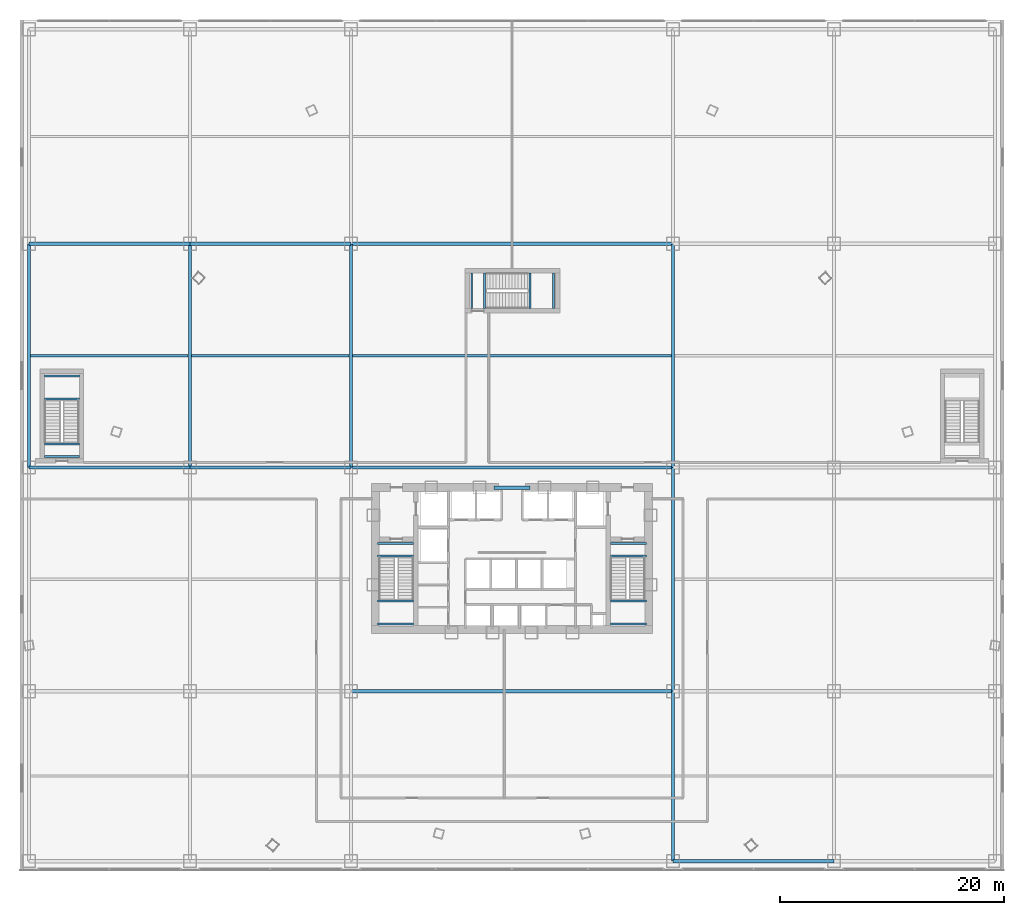
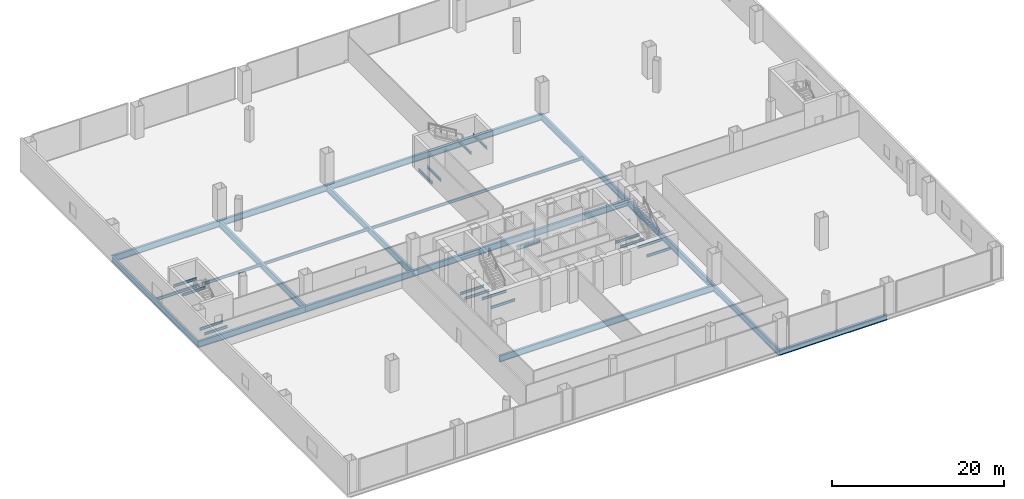
# One storey, part 12 of 40: 34 beams.
"""IFC4 building model written with IfcOpenShell, lengths in metres."""

import ifcopenshell
import ifcopenshell.guid

model = None  # the IFC model being written
_history = None  # IfcOwnerHistory: only IFC2X3 demands one
_inside = {}  # id of a spatial element -> (the spatial element, [elements in it])
_under = {}  # id of a project, library or spatial element -> (it, [spatial elements below it])
_declared = {}  # id of a project -> (the project, [libraries it declares])
_typed = {}  # id of a type object -> (the type object, [elements of that type])
_made_of = {}  # id of a material, layer set ... -> (it, [elements and type objects made of it])


def new_model(schema):
    """Start an empty IFC model of exactly this schema.

    Asked for "IFC4X3", IfcOpenShell would pick the latest addendum, in which some entities
    have other attributes; the version numbers below select the first issue.
    IFC2X3 requires an IfcOwnerHistory on every rooted entity: one is made here for all.
    """
    global model, _history
    if schema == "IFC4X3":
        model = ifcopenshell.file(schema_version=(4, 3, 0, 0))
    else:
        model = ifcopenshell.file(schema=schema)
    _inside.clear()
    _under.clear()
    _declared.clear()
    _typed.clear()
    _made_of.clear()
    _history = None
    if model.schema == "IFC2X3":
        org = make("IfcOrganization", Name="unknown")
        user = make(
            "IfcPersonAndOrganization",
            ThePerson=make("IfcPerson", FamilyName="unknown"),
            TheOrganization=org,
        )
        app = make(
            "IfcApplication",
            ApplicationDeveloper=org,
            Version="unknown",
            ApplicationFullName="unknown",
            ApplicationIdentifier="unknown",
        )
        _history = make(
            "IfcOwnerHistory",
            OwningUser=user,
            OwningApplication=app,
            ChangeAction="ADDED",
            CreationDate=0,
        )
    return model


def make(cls, **values):
    """One entity of the class cls with the attributes given. An attribute that is None is left unset."""
    return model.create_entity(
        cls, **{name: value for name, value in values.items() if value is not None}
    )


def rooted(cls, **values):
    """An entity with a GlobalId (a new one), such as an element, a storey or a relation."""
    return make(cls, GlobalId=ifcopenshell.guid.new(), OwnerHistory=_history, **values)


def si_unit(unit_type, name, prefix=None):
    """IfcSIUnit, for example si_unit("LENGTHUNIT", "METRE", prefix="MILLI")."""
    return make("IfcSIUnit", UnitType=unit_type, Prefix=prefix, Name=name)


def assignment(units):
    """IfcUnitAssignment: the units of a project."""
    return None if units is None else make("IfcUnitAssignment", Units=units)


def point(xyz):
    """IfcCartesianPoint."""
    return None if xyz is None else make("IfcCartesianPoint", Coordinates=xyz)


def direction(xyz):
    """IfcDirection."""
    return None if xyz is None else make("IfcDirection", DirectionRatios=xyz)


def frame(location, z_axis=None, x_axis=None):
    """IfcAxis2Placement3D, a coordinate frame: its origin and axes. An axis left out is left unset."""
    return make(
        "IfcAxis2Placement3D",
        Location=point(location),
        Axis=direction(z_axis),
        RefDirection=direction(x_axis),
    )


def frame_2d(location, x_axis=None):
    """IfcAxis2Placement2D, a coordinate frame in the plane: its origin and x axis."""
    return make(
        "IfcAxis2Placement2D", Location=point(location), RefDirection=direction(x_axis)
    )


def origin():
    """The frame at (0, 0, 0) with its axes left unset."""
    return frame((0.0, 0.0, 0.0))


def origin_2d():
    """The frame at (0, 0) in the plane with its x axis left unset."""
    return frame_2d((0.0, 0.0))


def place(relative_to, where):
    """IfcLocalPlacement: puts the frame where relative to a parent placement (None: the world)."""
    return make(
        "IfcLocalPlacement", PlacementRelTo=relative_to, RelativePlacement=where
    )


def context(
    kind, dimensions, precision=None, world=None, true_north=None, identifier=None
):
    """IfcGeometricRepresentationContext, for example the 3D "Model" context."""
    return make(
        "IfcGeometricRepresentationContext",
        ContextIdentifier=identifier,
        ContextType=kind,
        CoordinateSpaceDimension=dimensions,
        Precision=precision,
        WorldCoordinateSystem=world,
        TrueNorth=true_north,
    )


def subcontext(parent, identifier, kind, view, scale=None):
    """IfcGeometricRepresentationSubContext, for example "Body" below "Model"."""
    return make(
        "IfcGeometricRepresentationSubContext",
        ContextIdentifier=identifier,
        ContextType=kind,
        ParentContext=parent,
        TargetScale=scale,
        TargetView=view,
    )


def project(units=None, contexts=None):
    """IfcProject with its units and contexts."""
    return rooted(
        "IfcProject",
        Name="project",
        RepresentationContexts=contexts,
        UnitsInContext=assignment(units),
    )


def spatial(cls, under=None, at=None, **own):
    """A site, building, storey or space (cls), placed at a placement, below another one or the project."""
    s = rooted(cls, ObjectPlacement=at, **own)
    if under is not None:
        _under.setdefault(under.id(), (under, []))[1].append(s)
    return s


def profile(cls, at=None, kind="AREA", **sizes):
    """A parametric profile (cls). Its sizes go by their IFC names, for example OverallWidth=200.0."""
    return make(cls, ProfileType=kind, Position=at, **sizes)


def i_section(**sizes):
    """IfcIShapeProfileDef."""
    return profile("IfcIShapeProfileDef", **sizes)


def extrude(swept, where, along, depth):
    """IfcExtrudedAreaSolid: the profile swept, set in the frame where, extruded along a direction by depth."""
    return make(
        "IfcExtrudedAreaSolid",
        SweptArea=swept,
        Position=where,
        ExtrudedDirection=direction(along),
        Depth=depth,
    )


def shape(context_of_items, identifier, shape_type, items):
    """IfcShapeRepresentation: the items that make up one representation, for example the "Body"."""
    return make(
        "IfcShapeRepresentation",
        ContextOfItems=context_of_items,
        RepresentationIdentifier=identifier,
        RepresentationType=shape_type,
        Items=items,
    )


def source(mapping_origin, context_of_items, identifier, shape_type, items):
    """IfcRepresentationMap: a shape defined once, which mapped items show again and again."""
    return make(
        "IfcRepresentationMap",
        MappingOrigin=mapping_origin,
        MappedRepresentation=shape(context_of_items, identifier, shape_type, items),
    )


def transform(
    local_origin,
    x_axis=None,
    y_axis=None,
    z_axis=None,
    scale=None,
    scale2=None,
    scale3=None,
    uniform=True,
):
    """IfcCartesianTransformationOperator3D, or its non-uniform kind. x_axis, y_axis, z_axis: its Axis1, 2, 3."""
    if uniform:
        return make(
            "IfcCartesianTransformationOperator3D",
            Axis1=direction(x_axis),
            Axis2=direction(y_axis),
            LocalOrigin=point(local_origin),
            Scale=scale,
            Axis3=direction(z_axis),
        )
    return make(
        "IfcCartesianTransformationOperator3DnonUniform",
        Axis1=direction(x_axis),
        Axis2=direction(y_axis),
        LocalOrigin=point(local_origin),
        Scale=scale,
        Axis3=direction(z_axis),
        Scale2=scale2,
        Scale3=scale3,
    )


def mapped(mapping_source, mapping_target):
    """IfcMappedItem: shows the shape of a source again, moved by a transform."""
    return make(
        "IfcMappedItem", MappingSource=mapping_source, MappingTarget=mapping_target
    )


def material(Name=None, Category=None):
    """IfcMaterial."""
    return make("IfcMaterial", Name=Name, Category=Category)


def material_profile(
    of_material, cross_section, Name=None, Category=None, Priority=None
):
    """IfcMaterialProfile: a cross section and its material."""
    return make(
        "IfcMaterialProfile",
        Name=Name,
        Material=of_material,
        Profile=cross_section,
        Priority=Priority,
        Category=Category,
    )


def profile_set(profiles, Name=None, composite=None):
    """IfcMaterialProfileSet."""
    return make(
        "IfcMaterialProfileSet",
        Name=Name,
        MaterialProfiles=profiles,
        CompositeProfile=composite,
    )


def made_of(thing, what):
    """Note that an element or type object is made of a material, layer set ...; save() writes the relation."""
    if what is not None:
        _made_of.setdefault(what.id(), (what, []))[1].append(thing)
    return thing


def type_object(cls, material=None, **own):
    """A type object (cls), such as IfcWallType, which elements share."""
    return made_of(rooted(cls, **own), material)


def element(
    cls,
    number,
    at=None,
    inside=None,
    cuts=None,
    type_object=None,
    material=None,
    context=None,
    identifier="Body",
    shape_type=None,
    held_by="IfcProductDefinitionShape",
    body=None,
    shapes=None,
    **own,
):
    """One element of the class cls, such as IfcWall. Its Tag is "e" and its number.

    at: its placement. inside: the storey or other place that contains it. cuts: it is an
    opening in that element (IfcRelVoidsElement). A single representation is given by context,
    identifier, shape_type and body (its items); several are given by shapes. held_by: the class
    of the entity that holds the representations. save() writes the other relations.
    """
    e = rooted(cls, Tag="e%d" % number, ObjectPlacement=at, **own)
    if body is not None:
        shapes = [shape(context, identifier, shape_type, body)]
    if shapes is not None:
        e.Representation = make(held_by, Representations=shapes)
    if inside is not None:
        _inside.setdefault(inside.id(), (inside, []))[1].append(e)
    if cuts is not None:
        rooted(
            "IfcRelVoidsElement", RelatingBuildingElement=cuts, RelatedOpeningElement=e
        )
    if type_object is not None:
        _typed.setdefault(type_object.id(), (type_object, []))[1].append(e)
    return made_of(e, material)


def aggregate(whole, parts):
    """IfcRelAggregates: a whole, such as a stair, and the parts it consists of."""
    return rooted("IfcRelAggregates", RelatingObject=whole, RelatedObjects=parts)


def save(model, path):
    """Write the relations noted so far, then the file.

    IfcRelAggregates (storeys below a building ...), IfcRelContainedInSpatialStructure (elements
    in a storey), IfcRelDefinesByType, IfcRelAssociatesMaterial and IfcRelDeclares: one each for
    every whole, place, type object, material and project.
    """
    for whole, parts in _under.values():
        aggregate(whole, parts)
    for where, things in _inside.values():
        rooted(
            "IfcRelContainedInSpatialStructure",
            RelatedElements=things,
            RelatingStructure=where,
        )
    for kind, things in _typed.values():
        rooted("IfcRelDefinesByType", RelatedObjects=things, RelatingType=kind)
    for what, things in _made_of.values():
        rooted("IfcRelAssociatesMaterial", RelatedObjects=things, RelatingMaterial=what)
    for by, libraries in _declared.values():
        rooted("IfcRelDeclares", RelatingContext=by, RelatedDefinitions=libraries)
    model.write(path)


model = new_model("IFC4")

# Units and contexts
model_context = context("Model", 3, precision=1e-05, world=origin(), true_north=direction((0.0, 1.0)))
body_context = subcontext(model_context, "Body", "Model", "MODEL_VIEW")
ifc_project = project(units=[si_unit("LENGTHUNIT", "METRE"), si_unit("AREAUNIT", "SQUARE_METRE"), si_unit("VOLUMEUNIT", "CUBIC_METRE"), si_unit("PLANEANGLEUNIT", "RADIAN"), si_unit("MASSUNIT", "GRAM", prefix="KILO"), si_unit("THERMODYNAMICTEMPERATUREUNIT", "KELVIN"), si_unit("POWERUNIT", "WATT")], contexts=[model_context])

# Site, building, storey
site_placement = place(None, origin())
site = spatial("IfcSite", under=ifc_project, at=site_placement, CompositionType="ELEMENT")
building_placement = place(site_placement, origin())
building = spatial("IfcBuilding", under=site, at=building_placement, Name="Yunzhuo Pagoda Commons", CompositionType="ELEMENT")
storey_placement = place(building_placement, frame((0.0, 0.0, 14.39990234375)))
storey = spatial("IfcBuildingStorey", under=building, at=storey_placement, Name="L04", CompositionType="ELEMENT", Elevation=14.39990234375)

# Beams
ifc_material_1 = material(Name="Structural steel Q355B", Category="steel")
ifc_material_profile_1 = material_profile(ifc_material_1, i_section(OverallWidth=0.175048828125, OverallDepth=0.35009765625, WebThickness=0.007080078125, FlangeThickness=0.010986328125, at=origin_2d()), Name="Structural steel Q355B")
ifc_profile_set_1 = profile_set([ifc_material_profile_1], Name="Structural steel Q355B")
beam_type_1 = type_object("IfcBeamType", Name="B-JS2 Joist HN 350x175x7x11", PredefinedType="JOIST", material=ifc_profile_set_1)
shared_shape_1 = source(origin(), body_context, "Body", "SweptSolid", [
    extrude(i_section(OverallWidth=0.175048828125, OverallDepth=0.35009765625, WebThickness=0.007080078125, FlangeThickness=0.010986328125, at=origin_2d()), origin(), (0.0, 0.0, 1.0), 3.25),
])
for number, where, z_axis, x_axis, name in (
    (1, (35.949951171875, 28.0, 2.025146484375), (1.0, 0.0, 0.0), (0.0, 1.0, 0.0), "L04 ST1 landing support beam 6A"),
    (2, (35.949951171875, 30.06005859375, 2.025146484375), (1.0, 0.0, 0.0), (0.0, 1.0, 0.0), "L04 ST1 landing support beam 6B"),
    (3, (35.949951171875, 34.10009765625, -0.375), (1.0, 0.0, 0.0), (0.0, 1.0, 0.0), "L04 ST1 landing support beam 108A"),
    (4, (35.949951171875, 35.199951171875, -0.375), (1.0, 0.0, 0.0), (0.0, 1.0, 0.0), "L04 ST1 landing support beam 108B"),
    (5, (56.800048828125, 28.0, 2.025146484375), (1.0, 0.0, 0.0), (0.0, 1.0, 0.0), "L04 ST2 landing support beam 6A"),
    (6, (56.800048828125, 30.06005859375, 2.025146484375), (1.0, 0.0, 0.0), (0.0, 1.0, 0.0), "L04 ST2 landing support beam 6B"),
    (7, (56.800048828125, 34.10009765625, -0.375), (1.0, 0.0, 0.0), (0.0, 1.0, 0.0), "L04 ST2 landing support beam 108A"),
    (8, (56.800048828125, 35.199951171875, -0.375), (1.0, 0.0, 0.0), (0.0, 1.0, 0.0), "L04 ST2 landing support beam 108B"),
):
    element("IfcBeam", number, at=place(storey_placement, frame(where, z_axis=z_axis, x_axis=x_axis)), inside=storey, type_object=beam_type_1, Name=name, PredefinedType="JOIST", context=body_context, shape_type="MappedRepresentation", body=[
        mapped(shared_shape_1, transform((0.0, 0.0, 0.0), scale=1.0)),
    ])
shared_shape_2 = source(origin(), body_context, "Body", "SweptSolid", [
    extrude(i_section(OverallWidth=0.175048828125, OverallDepth=0.35009765625, WebThickness=0.007080078125, FlangeThickness=0.010986328125, at=origin_2d()), origin(), (0.0, 0.0, 1.0), 3.199951171875),
])
for number, where, z_axis, x_axis, name in (
    (9, (49.590087890625, 56.199951171875, 2.025146484375), (0.0, 1.0, 0.0), (-1.0, 0.0, 0.0), "L04 ST3 landing support beam 6A"),
    (10, (51.699951171875, 56.199951171875, 2.025146484375), (0.0, 1.0, 0.0), (-1.0, 0.0, 0.0), "L04 ST3 landing support beam 6B"),
    (11, (44.39990234375, 56.199951171875, -0.375), (0.0, 1.0, 0.0), (-1.0, 0.0, 0.0), "L04 ST3 landing support beam 78A"),
    (12, (45.550048828125, 56.199951171875, -0.375), (0.0, 1.0, 0.0), (-1.0, 0.0, 0.0), "L04 ST3 landing support beam 78B"),
):
    element("IfcBeam", number, at=place(storey_placement, frame(where, z_axis=z_axis, x_axis=x_axis)), inside=storey, type_object=beam_type_1, Name=name, PredefinedType="JOIST", context=body_context, shape_type="MappedRepresentation", body=[
        mapped(shared_shape_2, transform((0.0, 0.0, 0.0), scale=1.0)),
    ])
shared_shape_3 = source(origin(), body_context, "Body", "SweptSolid", [
    extrude(i_section(OverallWidth=0.175048828125, OverallDepth=0.35009765625, WebThickness=0.007080078125, FlangeThickness=0.010986328125, at=origin_2d()), origin(), (0.0, 0.0, 1.0), 3.10009765625),
])
for number, where, z_axis, x_axis, name in (
    (13, (6.199951171875, 48.139892578125, 2.025146484375), (1.0, 0.0, 0.0), (0.0, 1.0, 0.0), "L04 PS3 landing support beam 6A"),
    (14, (6.199951171875, 50.199951171875, 2.025146484375), (1.0, 0.0, 0.0), (0.0, 1.0, 0.0), "L04 PS3 landing support beam 6B"),
    (15, (6.199951171875, 43.0, -0.375), (1.0, 0.0, 0.0), (0.0, 1.0, 0.0), "L04 PS3 landing support beam 14A"),
    (16, (6.199951171875, 44.10009765625, -0.375), (1.0, 0.0, 0.0), (0.0, 1.0, 0.0), "L04 PS3 landing support beam 14B"),
):
    element("IfcBeam", number, at=place(storey_placement, frame(where, z_axis=z_axis, x_axis=x_axis)), inside=storey, type_object=beam_type_1, Name=name, PredefinedType="JOIST", context=body_context, shape_type="MappedRepresentation", body=[
        mapped(shared_shape_3, transform((0.0, 0.0, 0.0), scale=1.0)),
    ])
ifc_material_2 = material(Name="Structural steel Q420B", Category="steel")
ifc_material_profile_2 = material_profile(ifc_material_2, i_section(OverallWidth=0.300048828125, OverallDepth=0.587890625, WebThickness=0.011962890625, FlangeThickness=0.02001953125, at=origin_2d()), Name="Structural steel Q420B")
ifc_profile_set_2 = profile_set([ifc_material_profile_2], Name="Structural steel Q420B")
beam_type_2 = type_object("IfcBeamType", Name="B-CPL Beam HM 588x300x12x20", PredefinedType="BEAM", material=ifc_profile_set_2)
shared_shape_4 = source(origin(), body_context, "Body", "SweptSolid", [
    extrude(i_section(OverallWidth=0.300048828125, OverallDepth=0.587890625, WebThickness=0.011962890625, FlangeThickness=0.02001953125, at=origin_2d()), origin(), (0.0, 0.0, 1.0), 3.2001953125),
])
beam_1_placement = place(storey_placement, frame((46.39990234375, 40.199951171875, -0.573974609375), z_axis=(1.0, 0.0, 0.0), x_axis=(0.0, 1.0, 0.0)))
element("IfcBeam", 17, at=beam_1_placement, inside=storey, type_object=beam_type_2, Name="L04 core coupling girder", PredefinedType="BEAM", context=body_context, shape_type="MappedRepresentation", body=[
    mapped(shared_shape_4, transform((0.0, 0.0, 0.0), scale=1.0)),
])
ifc_material_profile_3 = material_profile(ifc_material_1, i_section(OverallWidth=0.300048828125, OverallDepth=0.800048828125, WebThickness=0.013916015625, FlangeThickness=0.02587890625, at=origin_2d()), Name="Structural steel Q355B")
ifc_profile_set_3 = profile_set([ifc_material_profile_3], Name="Structural steel Q355B")
beam_type_3 = type_object("IfcBeamType", Name="B-PD2 Beam HN 800x300x14x26", PredefinedType="BEAM", material=ifc_profile_set_3)
shared_shape_5 = source(origin(), body_context, "Body", "SweptSolid", [
    extrude(i_section(OverallWidth=0.300048828125, OverallDepth=0.800048828125, WebThickness=0.013916015625, FlangeThickness=0.02587890625, at=origin_2d()), origin(), (0.0, 0.0, 1.0), 14.400146484375),
])
beam_2_placement = place(storey_placement, frame((62.39990234375, 6.800048828125, -0.679931640625), z_axis=(1.0, 0.0, 0.0), x_axis=(0.0, 1.0, 0.0)))
element("IfcBeam", 18, at=beam_2_placement, inside=storey, type_object=beam_type_3, Name="L04 podium girder EW 1.4", PredefinedType="BEAM", context=body_context, shape_type="MappedRepresentation", body=[
    mapped(shared_shape_5, transform((0.0, 0.0, 0.0), scale=1.0)),
])
ifc_material_profile_4 = material_profile(ifc_material_1, i_section(OverallWidth=0.300048828125, OverallDepth=0.89990234375, WebThickness=0.01611328125, FlangeThickness=0.028076171875, at=origin_2d()), Name="Structural steel Q355B")
ifc_profile_set_4 = profile_set([ifc_material_profile_4], Name="Structural steel Q355B")
beam_type_4 = type_object("IfcBeamType", Name="B-PD1 Beam HN 900x300x16x28", PredefinedType="BEAM", material=ifc_profile_set_4)
shared_shape_6 = source(origin(), body_context, "Body", "SweptSolid", [
    extrude(i_section(OverallWidth=0.300048828125, OverallDepth=0.89990234375, WebThickness=0.01611328125, FlangeThickness=0.028076171875, at=origin_2d()), origin(), (0.0, 0.0, 1.0), 14.39990234375),
])
for number, where, z_axis, x_axis, name in (
    (19, (4.800048828125, 42.0, -0.72998046875), (1.0, 0.0, 0.0), (0.0, 1.0, 0.0), "L04 podium girder EW 3.1"),
    (20, (4.800048828125, 62.0, -0.72998046875), (1.0, 0.0, 0.0), (0.0, 1.0, 0.0), "L04 podium girder EW 4.1"),
):
    element("IfcBeam", number, at=place(storey_placement, frame(where, z_axis=z_axis, x_axis=x_axis)), inside=storey, type_object=beam_type_4, Name=name, PredefinedType="BEAM", context=body_context, shape_type="MappedRepresentation", body=[
        mapped(shared_shape_6, transform((0.0, 0.0, 0.0), scale=1.0)),
    ])
shared_shape_7 = source(origin(), body_context, "Body", "SweptSolid", [
    extrude(i_section(OverallWidth=0.300048828125, OverallDepth=0.89990234375, WebThickness=0.01611328125, FlangeThickness=0.028076171875, at=origin_2d()), origin(), (0.0, 0.0, 1.0), 14.400146484375),
])
for number, where, z_axis, x_axis, name in (
    (21, (19.199951171875, 42.0, -0.72998046875), (1.0, 0.0, 0.0), (0.0, 1.0, 0.0), "L04 podium girder EW 3.2"),
    (22, (19.199951171875, 62.0, -0.72998046875), (1.0, 0.0, 0.0), (0.0, 1.0, 0.0), "L04 podium girder EW 4.2"),
):
    element("IfcBeam", number, at=place(storey_placement, frame(where, z_axis=z_axis, x_axis=x_axis)), inside=storey, type_object=beam_type_4, Name=name, PredefinedType="BEAM", context=body_context, shape_type="MappedRepresentation", body=[
        mapped(shared_shape_7, transform((0.0, 0.0, 0.0), scale=1.0)),
    ])
shared_shape_8 = source(origin(), body_context, "Body", "SweptSolid", [
    extrude(i_section(OverallWidth=0.300048828125, OverallDepth=0.89990234375, WebThickness=0.01611328125, FlangeThickness=0.028076171875, at=origin_2d()), origin(), (0.0, 0.0, 1.0), 28.7998046875),
])
for number, where, z_axis, x_axis, name in (
    (23, (33.60009765625, 22.0, -0.72998046875), (1.0, 0.0, 0.0), (0.0, 1.0, 0.0), "L04 podium girder EW 2.3"),
    (24, (33.60009765625, 42.0, -0.72998046875), (1.0, 0.0, 0.0), (0.0, 1.0, 0.0), "L04 podium girder EW 3.3"),
    (25, (33.60009765625, 62.0, -0.72998046875), (1.0, 0.0, 0.0), (0.0, 1.0, 0.0), "L04 podium girder EW 4.3"),
):
    element("IfcBeam", number, at=place(storey_placement, frame(where, z_axis=z_axis, x_axis=x_axis)), inside=storey, type_object=beam_type_4, Name=name, PredefinedType="BEAM", context=body_context, shape_type="MappedRepresentation", body=[
        mapped(shared_shape_8, transform((0.0, 0.0, 0.0), scale=1.0)),
    ])
ifc_material_profile_5 = material_profile(ifc_material_1, i_section(OverallWidth=0.199951171875, OverallDepth=0.39990234375, WebThickness=0.008056640625, FlangeThickness=0.012939453125, at=origin_2d()), Name="Structural steel Q355B")
ifc_profile_set_5 = profile_set([ifc_material_profile_5], Name="Structural steel Q355B")
beam_type_5 = type_object("IfcBeamType", Name="B-JS1 Joist HN 400x200x8x13", PredefinedType="JOIST", material=ifc_profile_set_5)
shared_shape_9 = source(origin(), body_context, "Body", "SweptSolid", [
    extrude(i_section(OverallWidth=0.199951171875, OverallDepth=0.39990234375, WebThickness=0.008056640625, FlangeThickness=0.012939453125, at=origin_2d()), origin(), (0.0, 0.0, 1.0), 14.08984375),
])
for number, where, z_axis, x_axis, name in (
    (26, (4.955078125, 52.0, -0.47998046875), (1.0, 0.0, 0.0), (0.0, 1.0, 0.0), "L04 podium composite joist 1.3"),
    (27, (19.355224609375, 52.0, -0.47998046875), (1.0, 0.0, 0.0), (0.0, 1.0, 0.0), "L04 podium composite joist 2.3"),
):
    element("IfcBeam", number, at=place(storey_placement, frame(where, z_axis=z_axis, x_axis=x_axis)), inside=storey, type_object=beam_type_5, Name=name, PredefinedType="JOIST", context=body_context, shape_type="MappedRepresentation", body=[
        mapped(shared_shape_9, transform((0.0, 0.0, 0.0), scale=1.0)),
    ])
shared_shape_10 = source(origin(), body_context, "Body", "SweptSolid", [
    extrude(i_section(OverallWidth=0.300048828125, OverallDepth=0.800048828125, WebThickness=0.013916015625, FlangeThickness=0.02587890625, at=origin_2d()), origin(), (0.0, 0.0, 1.0), 20.0),
])
beam_3_placement = place(storey_placement, frame((4.800048828125, 42.0, -0.679931640625), z_axis=(0.0, 1.0, 0.0), x_axis=(-1.0, 0.0, 0.0)))
element("IfcBeam", 28, at=beam_3_placement, inside=storey, type_object=beam_type_3, Name="L04 podium girder NS 1.3", PredefinedType="BEAM", context=body_context, shape_type="MappedRepresentation", body=[
    mapped(shared_shape_10, transform((0.0, 0.0, 0.0), scale=1.0)),
])
shared_shape_11 = source(origin(), body_context, "Body", "SweptSolid", [
    extrude(i_section(OverallWidth=0.300048828125, OverallDepth=0.89990234375, WebThickness=0.01611328125, FlangeThickness=0.028076171875, at=origin_2d()), origin(), (0.0, 0.0, 1.0), 15.199951171875),
])
beam_4_placement = place(storey_placement, frame((62.39990234375, 6.800048828125, -0.72998046875), z_axis=(0.0, 1.0, 0.0), x_axis=(-1.0, 0.0, 0.0)))
element("IfcBeam", 29, at=beam_4_placement, inside=storey, type_object=beam_type_4, Name="L04 podium girder NS 4.1", PredefinedType="BEAM", context=body_context, shape_type="MappedRepresentation", body=[
    mapped(shared_shape_11, transform((0.0, 0.0, 0.0), scale=1.0)),
])
shared_shape_12 = source(origin(), body_context, "Body", "SweptSolid", [
    extrude(i_section(OverallWidth=0.300048828125, OverallDepth=0.89990234375, WebThickness=0.01611328125, FlangeThickness=0.028076171875, at=origin_2d()), origin(), (0.0, 0.0, 1.0), 20.0),
])
for number, where, z_axis, x_axis, name in (
    (30, (19.199951171875, 42.0, -0.72998046875), (0.0, 1.0, 0.0), (-1.0, 0.0, 0.0), "L04 podium girder NS 2.3"),
    (31, (33.60009765625, 42.0, -0.72998046875), (0.0, 1.0, 0.0), (-1.0, 0.0, 0.0), "L04 podium girder NS 3.3"),
    (32, (62.39990234375, 22.0, -0.72998046875), (0.0, 1.0, 0.0), (-1.0, 0.0, 0.0), "L04 podium girder NS 4.2"),
    (33, (62.39990234375, 42.0, -0.72998046875), (0.0, 1.0, 0.0), (-1.0, 0.0, 0.0), "L04 podium girder NS 4.3"),
):
    element("IfcBeam", number, at=place(storey_placement, frame(where, z_axis=z_axis, x_axis=x_axis)), inside=storey, type_object=beam_type_4, Name=name, PredefinedType="BEAM", context=body_context, shape_type="MappedRepresentation", body=[
        mapped(shared_shape_12, transform((0.0, 0.0, 0.0), scale=1.0)),
    ])
shared_shape_13 = source(origin(), body_context, "Body", "SweptSolid", [
    extrude(i_section(OverallWidth=0.199951171875, OverallDepth=0.39990234375, WebThickness=0.008056640625, FlangeThickness=0.012939453125, at=origin_2d()), origin(), (0.0, 0.0, 1.0), 28.490234375),
])
beam_5_placement = place(storey_placement, frame((33.7548828125, 52.0, -0.47998046875), z_axis=(1.0, 0.0, 0.0), x_axis=(0.0, 1.0, 0.0)))
element("IfcBeam", 34, at=beam_5_placement, inside=storey, type_object=beam_type_5, Name="L04 podium composite joist 3.3", PredefinedType="JOIST", context=body_context, shape_type="MappedRepresentation", body=[
    mapped(shared_shape_13, transform((0.0, 0.0, 0.0), scale=1.0)),
])

save(model, "model.ifc")
